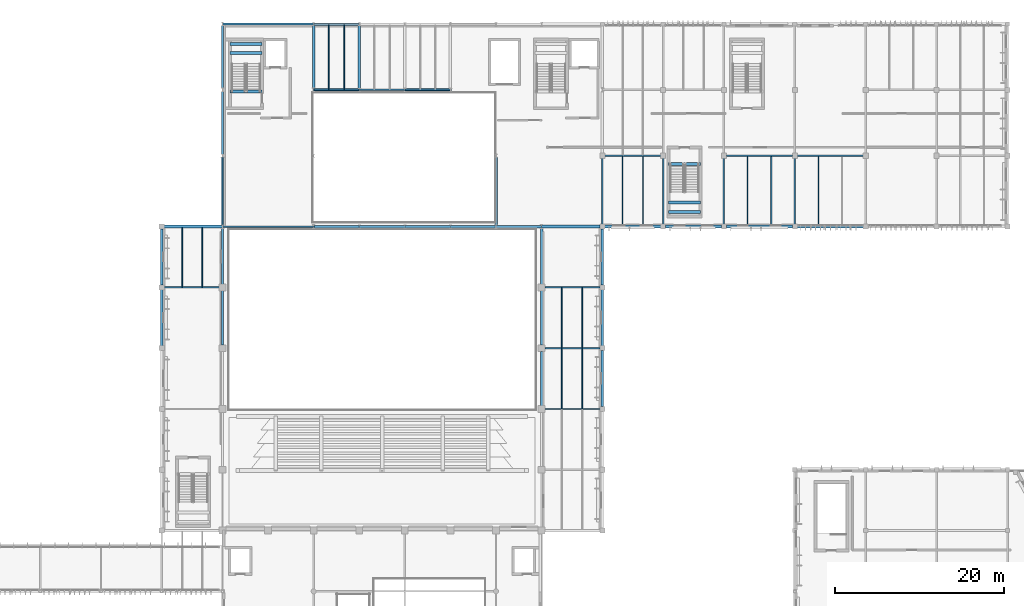
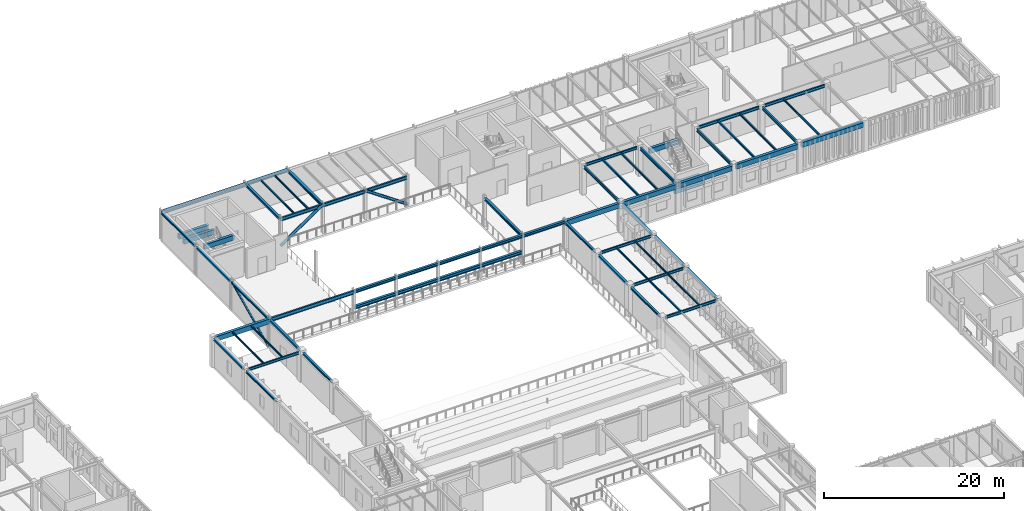
# One storey, part 14 of 104: 64 beams, 3 members.
"""IFC4 building model written with IfcOpenShell, lengths in metres."""

from ifc_helpers import new_model, si_unit, direction, frame, origin, origin_2d, place, context, subcontext, project, spatial, rectangle, hollow_circle, i_section, extrude, material, material_profile, profile_set, type_object, element, save


model = new_model("IFC4")

# Units and contexts
model_context = context("Model", 3, precision=1e-05, world=origin(), true_north=direction((0.0, 1.0)))
body_context = subcontext(model_context, "Body", "Model", "MODEL_VIEW")
ifc_project = project(units=[si_unit("LENGTHUNIT", "METRE"), si_unit("AREAUNIT", "SQUARE_METRE"), si_unit("VOLUMEUNIT", "CUBIC_METRE"), si_unit("PLANEANGLEUNIT", "RADIAN"), si_unit("MASSUNIT", "GRAM", prefix="KILO")], contexts=[model_context])

# Site, building, storey
site_placement = place(None, origin())
site = spatial("IfcSite", under=ifc_project, at=site_placement, CompositionType="ELEMENT")
building_placement = place(site_placement, origin())
building = spatial("IfcBuilding", under=site, at=building_placement, Name="Tazoul Stagehouse", CompositionType="ELEMENT")
storey_placement = place(building_placement, frame((0.0, 0.0, 9.0)))
storey = spatial("IfcBuildingStorey", under=building, at=storey_placement, Name="L02", CompositionType="ELEMENT", Elevation=9.0)

# Member
ifc_material_1 = material(Name="Steel S355", Category="steel")
ifc_material_profile_1 = material_profile(ifc_material_1, hollow_circle(Radius=0.136474609375, WallThickness=0.010009765625, at=origin_2d()), Name="CHS 273x10")
ifc_profile_set_1 = profile_set([ifc_material_profile_1], Name="Steel S355")
member_type_1 = type_object("IfcMemberType", Name="Fly-Tower Diagonal Brace CHS 273x10 (Exterior)", PredefinedType="BRACE", material=ifc_profile_set_1)
member_placement = place(storey_placement, frame((57.60009765625, 87.919921875, 0.050048828125), z_axis=(0.0, 0.90532453159, 0.424720487498), x_axis=(-1.0, 0.0, 0.0)))
element("IfcMember", 1, at=member_placement, inside=storey, type_object=member_type_1, Name="L02 Concentric Brace BR-01E (BR-FT-L02-W1)", PredefinedType="BRACE", context=body_context, shape_type="SweptSolid", body=[
    extrude(hollow_circle(Radius=0.136474609375, WallThickness=0.010009765625, at=origin_2d()), origin(), (0.0, 0.0, 1.0), 8.947265625),
])

# Beams
ifc_material_2 = material(Name="Concrete C40/50", Category="concrete")
ifc_material_profile_2 = material_profile(ifc_material_2, rectangle(XDim=0.35009765625, YDim=0.64990234375, at=origin_2d()), Name="RC 350x650")
ifc_profile_set_2 = profile_set([ifc_material_profile_2], Name="Concrete C40/50")
beam_type_1 = type_object("IfcBeamType", Name="RC Perimeter Spandrel 350x650", PredefinedType="SPANDREL", material=ifc_profile_set_2)
beam_1_placement = place(storey_placement, frame((95.409912109375, 87.800048828125, 3.60302734375), z_axis=(1.0, 0.0, 0.0), x_axis=(0.0, 1.0, 0.0)))
element("IfcBeam", 2, at=beam_1_placement, inside=storey, type_object=beam_type_1, Name="L02 Beam SP-01 N/15-16", PredefinedType="SPANDREL", context=body_context, shape_type="SweptSolid", body=[
    extrude(rectangle(XDim=0.35009765625, YDim=0.64990234375, at=origin_2d()), origin(), (0.0, 0.0, 1.0), 6.9150390625),
])
ifc_material_profile_3 = material_profile(ifc_material_2, rectangle(XDim=0.35009765625, YDim=0.64990234375, at=origin_2d()), Name="RC 350x650")
ifc_profile_set_3 = profile_set([ifc_material_profile_3], Name="Concrete C40/50")
beam_type_2 = type_object("IfcBeamType", Name="RC Perimeter Spandrel 350x650 (Exterior)", PredefinedType="SPANDREL", material=ifc_profile_set_3)
beam_2_placement = place(storey_placement, frame((50.675048828125, 87.800048828125, 3.623046875), z_axis=(1.0, 0.0, 0.0), x_axis=(0.0, 1.0, 0.0)))
element("IfcBeam", 3, at=beam_2_placement, inside=storey, type_object=beam_type_2, Name="L02 Beam SP-01E N/7-8", PredefinedType="SPANDREL", context=body_context, shape_type="SweptSolid", body=[
    extrude(rectangle(XDim=0.35009765625, YDim=0.64990234375, at=origin_2d()), origin(), (0.0, 0.0, 1.0), 6.9150390625),
])
beam_3_placement = place(storey_placement, frame((102.875, 87.800048828125, 3.60302734375), z_axis=(1.0, 0.0, 0.0), x_axis=(0.0, 1.0, 0.0)))
element("IfcBeam", 4, at=beam_3_placement, inside=storey, type_object=beam_type_2, Name="L02 Beam SP-01E N/16-17", PredefinedType="SPANDREL", context=body_context, shape_type="SweptSolid", body=[
    extrude(rectangle(XDim=0.35009765625, YDim=0.64990234375, at=origin_2d()), origin(), (0.0, 0.0, 1.0), 6.64990234375),
])
beam_4_placement = place(storey_placement, frame((110.074951171875, 87.800048828125, 3.60302734375), z_axis=(1.0, 0.0, 0.0), x_axis=(0.0, 1.0, 0.0)))
element("IfcBeam", 5, at=beam_4_placement, inside=storey, type_object=beam_type_2, Name="L02 Beam SP-01E N/17-18", PredefinedType="SPANDREL", context=body_context, shape_type="SweptSolid", body=[
    extrude(rectangle(XDim=0.35009765625, YDim=0.64990234375, at=origin_2d()), origin(), (0.0, 0.0, 1.0), 6.650146484375),
])
beam_5_placement = place(storey_placement, frame((117.27490234375, 87.800048828125, 3.60302734375), z_axis=(1.0, 0.0, 0.0), x_axis=(0.0, 1.0, 0.0)))
element("IfcBeam", 6, at=beam_5_placement, inside=storey, type_object=beam_type_2, Name="L02 Beam SP-01E N/18-19", PredefinedType="SPANDREL", context=body_context, shape_type="SweptSolid", body=[
    extrude(rectangle(XDim=0.35009765625, YDim=0.64990234375, at=origin_2d()), origin(), (0.0, 0.0, 1.0), 7.85009765625),
])
beam_6_placement = place(storey_placement, frame((125.675048828125, 87.800048828125, 3.60302734375), z_axis=(1.0, 0.0, 0.0), x_axis=(0.0, 1.0, 0.0)))
element("IfcBeam", 7, at=beam_6_placement, inside=storey, type_object=beam_type_2, Name="L02 Beam SP-01E N/19-20", PredefinedType="SPANDREL", context=body_context, shape_type="SweptSolid", body=[
    extrude(rectangle(XDim=0.35009765625, YDim=0.64990234375, at=origin_2d()), origin(), (0.0, 0.0, 1.0), 7.849853515625),
])
ifc_material_profile_4 = material_profile(ifc_material_2, rectangle(XDim=0.35009765625, YDim=0.64990234375, at=origin_2d()), Name="RC 350x650")
ifc_profile_set_4 = profile_set([ifc_material_profile_4], Name="Concrete C40/50")
beam_type_3 = type_object("IfcBeamType", Name="RC Primary Girder 350x650", PredefinedType="BEAM", material=ifc_profile_set_4)
for number, where, z_axis, x_axis, name in (
    (8, (58.469970703125, 108.35009765625, 1.580078125), (1.0, 0.0, 0.0), (0.0, 1.0, 0.0), "L02 Stair Half-Landing Trimmer BM-01 (ST-03-1)"),
    (9, (58.469970703125, 109.449951171875, 1.580078125), (1.0, 0.0, 0.0), (0.0, 1.0, 0.0), "L02 Stair Half-Landing Trimmer BM-01 (ST-03-2)"),
    (10, (58.469970703125, 103.800048828125, 3.625), (1.0, 0.0, 0.0), (0.0, 1.0, 0.0), "L02 Stair Landing Trimmer BM-01 (ST-03-FL)"),
    (11, (110.419921875, 89.550048828125, 1.580078125), (1.0, 0.0, 0.0), (0.0, 1.0, 0.0), "L02 Stair Half-Landing Trimmer BM-01 (ST-04-1)"),
    (12, (110.419921875, 90.64990234375, 1.580078125), (1.0, 0.0, 0.0), (0.0, 1.0, 0.0), "L02 Stair Half-Landing Trimmer BM-01 (ST-04-2)"),
    (13, (110.419921875, 95.199951171875, 3.625), (1.0, 0.0, 0.0), (0.0, 1.0, 0.0), "L02 Stair Landing Trimmer BM-01 (ST-04-FL)"),
):
    element("IfcBeam", number, at=place(storey_placement, frame(where, z_axis=z_axis, x_axis=x_axis)), inside=storey, type_object=beam_type_3, Name=name, PredefinedType="BEAM", context=body_context, shape_type="SweptSolid", body=[
        extrude(rectangle(XDim=0.35009765625, YDim=0.64990234375, at=origin_2d()), origin(), (0.0, 0.0, 1.0), 3.81005859375),
    ])

# Members
ifc_material_profile_5 = material_profile(ifc_material_1, hollow_circle(Radius=0.177734375, WallThickness=0.01416015625, at=origin_2d()), Name="CHS 355.6x14.2")
ifc_profile_set_5 = profile_set([ifc_material_profile_5], Name="Steel S355")
member_type_2 = type_object("IfcMemberType", Name="Stagehouse Frame Brace CHS 355.6x14.2", PredefinedType="BRACE", material=ifc_profile_set_5)
for number, where, z_axis, x_axis, name in (
    (14, (68.39990234375, 104.0, 0.1201171875), (0.822803713649, 0.0, 0.568325653833), (0.0, 1.0, 0.0), "L02 Concentric Brace BR-04 (BR-FT-L02-IN1)"),
    (15, (84.60009765625, 104.0, 0.1201171875), (-0.822803713649, 0.0, 0.568325653833), (0.0, -1.0, 0.0), "L02 Concentric Brace BR-04 (BR-FT-L02-IN2)"),
):
    element("IfcMember", number, at=place(storey_placement, frame(where, z_axis=z_axis, x_axis=x_axis)), inside=storey, type_object=member_type_2, Name=name, PredefinedType="BRACE", context=body_context, shape_type="SweptSolid", body=[
        extrude(hollow_circle(Radius=0.177734375, WallThickness=0.01416015625, at=origin_2d()), origin(), (0.0, 0.0, 1.0), 6.56298828125),
    ])

# Beams
ifc_material_profile_6 = material_profile(ifc_material_1, i_section(OverallWidth=0.280029296875, OverallDepth=0.27001953125, WebThickness=0.008056640625, FlangeThickness=0.012939453125, FilletRadius=0.02392578125, at=origin_2d()), Name="HEA 280")
ifc_profile_set_6 = profile_set([ifc_material_profile_6], Name="Steel S355")
beam_type_4 = type_object("IfcBeamType", Name="Steel Facade Spandrel HEA 280 (Exterior)", PredefinedType="SPANDREL", material=ifc_profile_set_6)
for number, where, z_axis, x_axis, name in (
    (16, (50.39990234375, 73.675048828125, 3.81298828125), (0.0, 1.0, 0.0), (-1.0, 0.0, 0.0), "L02 Beam SP-02E 7/L-M"),
    (17, (50.39990234375, 80.875, 3.81298828125), (0.0, 1.0, 0.0), (-1.0, 0.0, 0.0), "L02 Beam SP-02E 7/M-N"),
):
    element("IfcBeam", number, at=place(storey_placement, frame(where, z_axis=z_axis, x_axis=x_axis)), inside=storey, type_object=beam_type_4, Name=name, PredefinedType="SPANDREL", context=body_context, shape_type="SweptSolid", body=[
        extrude(i_section(OverallWidth=0.280029296875, OverallDepth=0.27001953125, WebThickness=0.008056640625, FlangeThickness=0.012939453125, FilletRadius=0.02392578125, at=origin_2d()), origin(), (0.0, 0.0, 1.0), 6.64990234375),
    ])
beam_7_placement = place(storey_placement, frame((57.60009765625, 73.77490234375, 3.81298828125), z_axis=(0.0, 1.0, 0.0), x_axis=(-1.0, 0.0, 0.0)))
element("IfcBeam", 18, at=beam_7_placement, inside=storey, type_object=beam_type_4, Name="L02 Beam SP-02E 8/L-M", PredefinedType="SPANDREL", context=body_context, shape_type="SweptSolid", body=[
    extrude(i_section(OverallWidth=0.280029296875, OverallDepth=0.27001953125, WebThickness=0.008056640625, FlangeThickness=0.012939453125, FilletRadius=0.02392578125, at=origin_2d()), origin(), (0.0, 0.0, 1.0), 6.4501953125),
])
beam_8_placement = place(storey_placement, frame((57.60009765625, 80.97509765625, 3.81298828125), z_axis=(0.0, 1.0, 0.0), x_axis=(-1.0, 0.0, 0.0)))
element("IfcBeam", 19, at=beam_8_placement, inside=storey, type_object=beam_type_4, Name="L02 Beam SP-02E 8/M-N", PredefinedType="SPANDREL", context=body_context, shape_type="SweptSolid", body=[
    extrude(i_section(OverallWidth=0.280029296875, OverallDepth=0.27001953125, WebThickness=0.008056640625, FlangeThickness=0.012939453125, FilletRadius=0.02392578125, at=origin_2d()), origin(), (0.0, 0.0, 1.0), 6.625),
])
beam_9_placement = place(storey_placement, frame((57.60009765625, 88.0, 3.81298828125), z_axis=(0.0, 1.0, 0.0), x_axis=(-1.0, 0.0, 0.0)))
element("IfcBeam", 20, at=beam_9_placement, inside=storey, type_object=beam_type_4, Name="L02 Beam SP-02E 8/N-P", PredefinedType="SPANDREL", context=body_context, shape_type="SweptSolid", body=[
    extrude(i_section(OverallWidth=0.280029296875, OverallDepth=0.27001953125, WebThickness=0.008056640625, FlangeThickness=0.012939453125, FilletRadius=0.02392578125, at=origin_2d()), origin(), (0.0, 0.0, 1.0), 8.044921875),
])
beam_10_placement = place(storey_placement, frame((57.60009765625, 96.35498046875, 3.81298828125), z_axis=(0.0, 1.0, 0.0), x_axis=(-1.0, 0.0, 0.0)))
element("IfcBeam", 21, at=beam_10_placement, inside=storey, type_object=beam_type_4, Name="L02 Beam SP-02E 8/P-Q", PredefinedType="SPANDREL", context=body_context, shape_type="SweptSolid", body=[
    extrude(i_section(OverallWidth=0.280029296875, OverallDepth=0.27001953125, WebThickness=0.008056640625, FlangeThickness=0.012939453125, FilletRadius=0.02392578125, at=origin_2d()), origin(), (0.0, 0.0, 1.0), 7.445068359375),
])
beam_11_placement = place(storey_placement, frame((57.60009765625, 104.199951171875, 3.81298828125), z_axis=(0.0, 1.0, 0.0), x_axis=(-1.0, 0.0, 0.0)))
element("IfcBeam", 22, at=beam_11_placement, inside=storey, type_object=beam_type_4, Name="L02 Beam SP-02E 8/Q-R", PredefinedType="SPANDREL", context=body_context, shape_type="SweptSolid", body=[
    extrude(i_section(OverallWidth=0.280029296875, OverallDepth=0.27001953125, WebThickness=0.008056640625, FlangeThickness=0.012939453125, FilletRadius=0.02392578125, at=origin_2d()), origin(), (0.0, 0.0, 1.0), 7.400146484375),
])
beam_12_placement = place(storey_placement, frame((95.39990234375, 66.574951171875, 3.822998046875), z_axis=(0.0, 1.0, 0.0), x_axis=(-1.0, 0.0, 0.0)))
element("IfcBeam", 23, at=beam_12_placement, inside=storey, type_object=beam_type_4, Name="L02 Beam SP-02E 15/K-L", PredefinedType="SPANDREL", context=body_context, shape_type="SweptSolid", body=[
    extrude(i_section(OverallWidth=0.280029296875, OverallDepth=0.27001953125, WebThickness=0.008056640625, FlangeThickness=0.012939453125, FilletRadius=0.02392578125, at=origin_2d()), origin(), (0.0, 0.0, 1.0), 6.449951171875),
])
beam_13_placement = place(storey_placement, frame((95.39990234375, 73.77490234375, 3.822998046875), z_axis=(0.0, 1.0, 0.0), x_axis=(-1.0, 0.0, 0.0)))
element("IfcBeam", 24, at=beam_13_placement, inside=storey, type_object=beam_type_4, Name="L02 Beam SP-02E 15/L-M", PredefinedType="SPANDREL", context=body_context, shape_type="SweptSolid", body=[
    extrude(i_section(OverallWidth=0.280029296875, OverallDepth=0.27001953125, WebThickness=0.008056640625, FlangeThickness=0.012939453125, FilletRadius=0.02392578125, at=origin_2d()), origin(), (0.0, 0.0, 1.0), 6.4501953125),
])
beam_14_placement = place(storey_placement, frame((95.39990234375, 80.97509765625, 3.81298828125), z_axis=(0.0, 1.0, 0.0), x_axis=(-1.0, 0.0, 0.0)))
element("IfcBeam", 25, at=beam_14_placement, inside=storey, type_object=beam_type_4, Name="L02 Beam SP-02E 15/M-N", PredefinedType="SPANDREL", context=body_context, shape_type="SweptSolid", body=[
    extrude(i_section(OverallWidth=0.280029296875, OverallDepth=0.27001953125, WebThickness=0.008056640625, FlangeThickness=0.012939453125, FilletRadius=0.02392578125, at=origin_2d()), origin(), (0.0, 0.0, 1.0), 6.625),
])
for number, where, z_axis, x_axis, name in (
    (26, (102.60009765625, 66.47509765625, 3.822998046875), (0.0, 1.0, 0.0), (-1.0, 0.0, 0.0), "L02 Beam SP-02E 16/K-L"),
    (27, (102.60009765625, 73.675048828125, 3.822998046875), (0.0, 1.0, 0.0), (-1.0, 0.0, 0.0), "L02 Beam SP-02E 16/L-M"),
    (28, (102.60009765625, 80.875, 3.79296875), (0.0, 1.0, 0.0), (-1.0, 0.0, 0.0), "L02 Beam SP-02E 16/M-N"),
):
    element("IfcBeam", number, at=place(storey_placement, frame(where, z_axis=z_axis, x_axis=x_axis)), inside=storey, type_object=beam_type_4, Name=name, PredefinedType="SPANDREL", context=body_context, shape_type="SweptSolid", body=[
        extrude(i_section(OverallWidth=0.280029296875, OverallDepth=0.27001953125, WebThickness=0.008056640625, FlangeThickness=0.012939453125, FilletRadius=0.02392578125, at=origin_2d()), origin(), (0.0, 0.0, 1.0), 6.64990234375),
    ])
ifc_material_profile_7 = material_profile(ifc_material_1, i_section(OverallWidth=0.1201171875, OverallDepth=0.239990234375, WebThickness=0.006103515625, FlangeThickness=0.009765625, FilletRadius=0.014892578125, at=origin_2d()), Name="IPE 240")
ifc_profile_set_7 = profile_set([ifc_material_profile_7], Name="Steel S355")
beam_type_5 = type_object("IfcBeamType", Name="Steel Floor Joist IPE 240", PredefinedType="JOIST", material=ifc_profile_set_7)
for number, where, z_axis, x_axis, name in (
    (29, (97.800048828125, 66.260009765625, 3.837890625), (0.0, 1.0, 0.0), (-1.0, 0.0, 0.0), "L02 Joist JS-01 15/K-1"),
    (30, (100.199951171875, 66.260009765625, 3.837890625), (0.0, 1.0, 0.0), (-1.0, 0.0, 0.0), "L02 Joist JS-01 15/K-2"),
    (31, (97.800048828125, 73.4599609375, 3.837890625), (0.0, 1.0, 0.0), (-1.0, 0.0, 0.0), "L02 Joist JS-01 15/L-1"),
    (32, (100.199951171875, 73.4599609375, 3.837890625), (0.0, 1.0, 0.0), (-1.0, 0.0, 0.0), "L02 Joist JS-01 15/L-2"),
):
    element("IfcBeam", number, at=place(storey_placement, frame(where, z_axis=z_axis, x_axis=x_axis)), inside=storey, type_object=beam_type_5, Name=name, PredefinedType="JOIST", context=body_context, shape_type="SweptSolid", body=[
        extrude(i_section(OverallWidth=0.1201171875, OverallDepth=0.239990234375, WebThickness=0.006103515625, FlangeThickness=0.009765625, FilletRadius=0.014892578125, at=origin_2d()), origin(), (0.0, 0.0, 1.0), 7.080078125),
    ])
for number, where, z_axis, x_axis, name in (
    (33, (52.800048828125, 80.659912109375, 3.827880859375), (0.0, 1.0, 0.0), (-1.0, 0.0, 0.0), "L02 Joist JS-01 7/M-1"),
    (34, (55.199951171875, 80.659912109375, 3.827880859375), (0.0, 1.0, 0.0), (-1.0, 0.0, 0.0), "L02 Joist JS-01 7/M-2"),
):
    element("IfcBeam", number, at=place(storey_placement, frame(where, z_axis=z_axis, x_axis=x_axis)), inside=storey, type_object=beam_type_5, Name=name, PredefinedType="JOIST", context=body_context, shape_type="SweptSolid", body=[
        extrude(i_section(OverallWidth=0.1201171875, OverallDepth=0.239990234375, WebThickness=0.006103515625, FlangeThickness=0.009765625, FilletRadius=0.014892578125, at=origin_2d()), origin(), (0.0, 0.0, 1.0), 6.989990234375),
    ])
for number, where, z_axis, x_axis, name in (
    (35, (70.199951171875, 104.070068359375, 3.827880859375), (0.0, 1.0, 0.0), (-1.0, 0.0, 0.0), "L02 Joist JS-01 10/Q-1"),
    (36, (72.0, 104.070068359375, 3.827880859375), (0.0, 1.0, 0.0), (-1.0, 0.0, 0.0), "L02 Joist JS-01 10/Q-2"),
):
    element("IfcBeam", number, at=place(storey_placement, frame(where, z_axis=z_axis, x_axis=x_axis)), inside=storey, type_object=beam_type_5, Name=name, PredefinedType="JOIST", context=body_context, shape_type="SweptSolid", body=[
        extrude(i_section(OverallWidth=0.1201171875, OverallDepth=0.239990234375, WebThickness=0.006103515625, FlangeThickness=0.009765625, FilletRadius=0.014892578125, at=origin_2d()), origin(), (0.0, 0.0, 1.0), 7.60498046875),
    ])
ifc_material_profile_8 = material_profile(ifc_material_1, i_section(OverallWidth=0.135009765625, OverallDepth=0.27001953125, WebThickness=0.006591796875, FlangeThickness=0.01025390625, FilletRadius=0.014892578125, at=origin_2d()), Name="IPE 270")
ifc_profile_set_8 = profile_set([ifc_material_profile_8], Name="Steel S355")
beam_type_6 = type_object("IfcBeamType", Name="Steel Floor Joist IPE 270", PredefinedType="JOIST", material=ifc_profile_set_8)
for number, where, z_axis, x_axis, name in (
    (37, (105.0, 87.949951171875, 3.79296875), (0.0, 1.0, 0.0), (-1.0, 0.0, 0.0), "L02 Joist JS-02 16/N-1"),
    (38, (107.39990234375, 87.949951171875, 3.79296875), (0.0, 1.0, 0.0), (-1.0, 0.0, 0.0), "L02 Joist JS-02 16/N-2"),
):
    element("IfcBeam", number, at=place(storey_placement, frame(where, z_axis=z_axis, x_axis=x_axis)), inside=storey, type_object=beam_type_6, Name=name, PredefinedType="JOIST", context=body_context, shape_type="SweptSolid", body=[
        extrude(i_section(OverallWidth=0.135009765625, OverallDepth=0.27001953125, WebThickness=0.006591796875, FlangeThickness=0.01025390625, FilletRadius=0.014892578125, at=origin_2d()), origin(), (0.0, 0.0, 1.0), 8.18994140625),
    ])
for number, where, z_axis, x_axis, name in (
    (39, (119.800048828125, 87.949951171875, 3.79296875), (0.0, 1.0, 0.0), (-1.0, 0.0, 0.0), "L02 Joist JS-02 18/N-1"),
    (40, (122.60009765625, 87.949951171875, 3.79296875), (0.0, 1.0, 0.0), (-1.0, 0.0, 0.0), "L02 Joist JS-02 18/N-2"),
    (41, (128.199951171875, 87.949951171875, 3.79296875), (0.0, 1.0, 0.0), (-1.0, 0.0, 0.0), "L02 Joist JS-02 19/N-1"),
):
    element("IfcBeam", number, at=place(storey_placement, frame(where, z_axis=z_axis, x_axis=x_axis)), inside=storey, type_object=beam_type_6, Name=name, PredefinedType="JOIST", context=body_context, shape_type="SweptSolid", body=[
        extrude(i_section(OverallWidth=0.135009765625, OverallDepth=0.27001953125, WebThickness=0.006591796875, FlangeThickness=0.01025390625, FilletRadius=0.014892578125, at=origin_2d()), origin(), (0.0, 0.0, 1.0), 8.18505859375),
    ])
ifc_material_profile_9 = material_profile(ifc_material_1, i_section(OverallWidth=0.300048828125, OverallDepth=0.35009765625, WebThickness=0.010009765625, FlangeThickness=0.017578125, FilletRadius=0.027099609375, at=origin_2d()), Name="HEA 360")
ifc_profile_set_9 = profile_set([ifc_material_profile_9], Name="Steel S355")
beam_type_7 = type_object("IfcBeamType", Name="Steel Fly-Tower Ring Beam HEA 360", PredefinedType="BEAM", material=ifc_profile_set_9)
beam_15_placement = place(storey_placement, frame((68.39990234375, 104.199951171875, 3.77294921875), z_axis=(0.0, 1.0, 0.0), x_axis=(-1.0, 0.0, 0.0)))
element("IfcBeam", 42, at=beam_15_placement, inside=storey, type_object=beam_type_7, Name="L02 Beam SB-07 10/Q-R", PredefinedType="BEAM", context=body_context, shape_type="SweptSolid", body=[
    extrude(i_section(OverallWidth=0.300048828125, OverallDepth=0.35009765625, WebThickness=0.010009765625, FlangeThickness=0.017578125, FilletRadius=0.027099609375, at=origin_2d()), origin(), (0.0, 0.0, 1.0), 7.400146484375),
])
beam_16_placement = place(storey_placement, frame((73.800048828125, 104.155029296875, 3.77294921875), z_axis=(0.0, 1.0, 0.0), x_axis=(-1.0, 0.0, 0.0)))
element("IfcBeam", 43, at=beam_16_placement, inside=storey, type_object=beam_type_7, Name="L02 Beam SB-07 11/Q-R", PredefinedType="BEAM", context=body_context, shape_type="SweptSolid", body=[
    extrude(i_section(OverallWidth=0.300048828125, OverallDepth=0.35009765625, WebThickness=0.010009765625, FlangeThickness=0.017578125, FilletRadius=0.027099609375, at=origin_2d()), origin(), (0.0, 0.0, 1.0), 7.489990234375),
])
beam_17_placement = place(storey_placement, frame((90.0, 88.0, 3.77294921875), z_axis=(0.0, 1.0, 0.0), x_axis=(-1.0, 0.0, 0.0)))
element("IfcBeam", 44, at=beam_17_placement, inside=storey, type_object=beam_type_7, Name="L02 Beam SB-07 14/N-P", PredefinedType="BEAM", context=body_context, shape_type="SweptSolid", body=[
    extrude(i_section(OverallWidth=0.300048828125, OverallDepth=0.35009765625, WebThickness=0.010009765625, FlangeThickness=0.017578125, FilletRadius=0.027099609375, at=origin_2d()), origin(), (0.0, 0.0, 1.0), 8.044921875),
])
ifc_material_profile_10 = material_profile(ifc_material_1, i_section(OverallWidth=0.300048828125, OverallDepth=0.389892578125, WebThickness=0.010986328125, FlangeThickness=0.01904296875, FilletRadius=0.027099609375, at=origin_2d()), Name="HEA 400")
ifc_profile_set_10 = profile_set([ifc_material_profile_10], Name="Steel S355")
beam_type_8 = type_object("IfcBeamType", Name="Steel Fly-Tower Spandrel HEA 400 (Exterior)", PredefinedType="SPANDREL", material=ifc_profile_set_10)
beam_18_placement = place(storey_placement, frame((68.409912109375, 87.800048828125, 3.7529296875), z_axis=(1.0, 0.0, 0.0), x_axis=(0.0, 1.0, 0.0)))
element("IfcBeam", 45, at=beam_18_placement, inside=storey, type_object=beam_type_8, Name="L02 Beam SP-04E N/10-11", PredefinedType="SPANDREL", context=body_context, shape_type="SweptSolid", body=[
    extrude(i_section(OverallWidth=0.300048828125, OverallDepth=0.389892578125, WebThickness=0.010986328125, FlangeThickness=0.01904296875, FilletRadius=0.027099609375, at=origin_2d()), origin(), (0.0, 0.0, 1.0), 5.380126953125),
])
beam_19_placement = place(storey_placement, frame((73.81005859375, 87.800048828125, 3.7529296875), z_axis=(1.0, 0.0, 0.0), x_axis=(0.0, 1.0, 0.0)))
element("IfcBeam", 46, at=beam_19_placement, inside=storey, type_object=beam_type_8, Name="L02 Beam SP-04E N/11-12", PredefinedType="SPANDREL", context=body_context, shape_type="SweptSolid", body=[
    extrude(i_section(OverallWidth=0.300048828125, OverallDepth=0.389892578125, WebThickness=0.010986328125, FlangeThickness=0.01904296875, FilletRadius=0.027099609375, at=origin_2d()), origin(), (0.0, 0.0, 1.0), 5.3798828125),
])
beam_20_placement = place(storey_placement, frame((79.2099609375, 87.800048828125, 3.7529296875), z_axis=(1.0, 0.0, 0.0), x_axis=(0.0, 1.0, 0.0)))
element("IfcBeam", 47, at=beam_20_placement, inside=storey, type_object=beam_type_8, Name="L02 Beam SP-04E N/12-13", PredefinedType="SPANDREL", context=body_context, shape_type="SweptSolid", body=[
    extrude(i_section(OverallWidth=0.300048828125, OverallDepth=0.389892578125, WebThickness=0.010986328125, FlangeThickness=0.01904296875, FilletRadius=0.027099609375, at=origin_2d()), origin(), (0.0, 0.0, 1.0), 5.380126953125),
])
for number, where, z_axis, x_axis, name in (
    (48, (84.610107421875, 87.800048828125, 3.7529296875), (1.0, 0.0, 0.0), (0.0, 1.0, 0.0), "L02 Beam SP-04E N/13-14"),
    (49, (90.010009765625, 87.800048828125, 3.7529296875), (1.0, 0.0, 0.0), (0.0, 1.0, 0.0), "L02 Beam SP-04E N/14-15"),
):
    element("IfcBeam", number, at=place(storey_placement, frame(where, z_axis=z_axis, x_axis=x_axis)), inside=storey, type_object=beam_type_8, Name=name, PredefinedType="SPANDREL", context=body_context, shape_type="SweptSolid", body=[
        extrude(i_section(OverallWidth=0.300048828125, OverallDepth=0.389892578125, WebThickness=0.010986328125, FlangeThickness=0.01904296875, FilletRadius=0.027099609375, at=origin_2d()), origin(), (0.0, 0.0, 1.0), 5.3798828125),
    ])
beam_21_placement = place(storey_placement, frame((68.409912109375, 111.800048828125, 3.7529296875), z_axis=(1.0, 0.0, 0.0), x_axis=(0.0, 1.0, 0.0)))
element("IfcBeam", 50, at=beam_21_placement, inside=storey, type_object=beam_type_8, Name="L02 Beam SP-04E R/10-11", PredefinedType="SPANDREL", context=body_context, shape_type="SweptSolid", body=[
    extrude(i_section(OverallWidth=0.300048828125, OverallDepth=0.389892578125, WebThickness=0.010986328125, FlangeThickness=0.01904296875, FilletRadius=0.027099609375, at=origin_2d()), origin(), (0.0, 0.0, 1.0), 5.380126953125),
])
ifc_material_profile_11 = material_profile(ifc_material_1, i_section(OverallWidth=0.199951171875, OverallDepth=0.5, WebThickness=0.01025390625, FlangeThickness=0.01611328125, FilletRadius=0.02099609375, at=origin_2d()), Name="IPE 500")
ifc_profile_set_11 = profile_set([ifc_material_profile_11], Name="Steel S355")
beam_type_9 = type_object("IfcBeamType", Name="Steel Long-Span Girder IPE 500 (Exterior)", PredefinedType="BEAM", material=ifc_profile_set_11)
for number, where, z_axis, x_axis, name in (
    (51, (57.610107421875, 87.800048828125, 3.697998046875), (1.0, 0.0, 0.0), (0.0, 1.0, 0.0), "L02 Beam SB-04E N/8-10"),
    (52, (57.610107421875, 111.800048828125, 3.697998046875), (1.0, 0.0, 0.0), (0.0, 1.0, 0.0), "L02 Beam SB-04E R/8-10"),
):
    element("IfcBeam", number, at=place(storey_placement, frame(where, z_axis=z_axis, x_axis=x_axis)), inside=storey, type_object=beam_type_9, Name=name, PredefinedType="BEAM", context=body_context, shape_type="SweptSolid", body=[
        extrude(i_section(OverallWidth=0.199951171875, OverallDepth=0.5, WebThickness=0.01025390625, FlangeThickness=0.01611328125, FilletRadius=0.02099609375, at=origin_2d()), origin(), (0.0, 0.0, 1.0), 10.77978515625),
    ])
ifc_material_profile_12 = material_profile(ifc_material_1, i_section(OverallWidth=0.169921875, OverallDepth=0.360107421875, WebThickness=0.008056640625, FlangeThickness=0.0126953125, FilletRadius=0.01806640625, at=origin_2d()), Name="IPE 360")
ifc_profile_set_12 = profile_set([ifc_material_profile_12], Name="Steel S355")
beam_type_10 = type_object("IfcBeamType", Name="Steel Primary Girder IPE 360", PredefinedType="BEAM", material=ifc_profile_set_12)
for number, where, z_axis, x_axis, name in (
    (53, (95.77490234375, 66.199951171875, 3.778076171875), (1.0, 0.0, 0.0), (0.0, 1.0, 0.0), "L02 Beam SB-01 K/15-16"),
    (54, (95.77490234375, 73.39990234375, 3.778076171875), (1.0, 0.0, 0.0), (0.0, 1.0, 0.0), "L02 Beam SB-01 L/15-16"),
    (55, (50.675048828125, 80.60009765625, 3.76806640625), (1.0, 0.0, 0.0), (0.0, 1.0, 0.0), "L02 Beam SB-01 M/7-8"),
    (56, (95.77490234375, 80.60009765625, 3.778076171875), (1.0, 0.0, 0.0), (0.0, 1.0, 0.0), "L02 Beam SB-01 M/15-16"),
):
    element("IfcBeam", number, at=place(storey_placement, frame(where, z_axis=z_axis, x_axis=x_axis)), inside=storey, type_object=beam_type_10, Name=name, PredefinedType="BEAM", context=body_context, shape_type="SweptSolid", body=[
        extrude(i_section(OverallWidth=0.169921875, OverallDepth=0.360107421875, WebThickness=0.008056640625, FlangeThickness=0.0126953125, FilletRadius=0.01806640625, at=origin_2d()), origin(), (0.0, 0.0, 1.0), 6.550048828125),
    ])
beam_22_placement = place(storey_placement, frame((102.875, 96.199951171875, 3.748046875), z_axis=(1.0, 0.0, 0.0), x_axis=(0.0, 1.0, 0.0)))
element("IfcBeam", 57, at=beam_22_placement, inside=storey, type_object=beam_type_10, Name="L02 Beam SB-01 P/16-17", PredefinedType="BEAM", context=body_context, shape_type="SweptSolid", body=[
    extrude(i_section(OverallWidth=0.169921875, OverallDepth=0.360107421875, WebThickness=0.008056640625, FlangeThickness=0.0126953125, FilletRadius=0.01806640625, at=origin_2d()), origin(), (0.0, 0.0, 1.0), 6.64990234375),
])
ifc_material_profile_13 = material_profile(ifc_material_1, i_section(OverallWidth=0.179931640625, OverallDepth=0.39990234375, WebThickness=0.008544921875, FlangeThickness=0.013427734375, FilletRadius=0.02099609375, at=origin_2d()), Name="IPE 400")
ifc_profile_set_13 = profile_set([ifc_material_profile_13], Name="Steel S355")
beam_type_11 = type_object("IfcBeamType", Name="Steel Primary Girder IPE 400", PredefinedType="BEAM", material=ifc_profile_set_13)
beam_23_placement = place(storey_placement, frame((117.27490234375, 96.199951171875, 3.72802734375), z_axis=(1.0, 0.0, 0.0), x_axis=(0.0, 1.0, 0.0)))
element("IfcBeam", 58, at=beam_23_placement, inside=storey, type_object=beam_type_11, Name="L02 Beam SB-02 P/18-19", PredefinedType="BEAM", context=body_context, shape_type="SweptSolid", body=[
    extrude(i_section(OverallWidth=0.179931640625, OverallDepth=0.39990234375, WebThickness=0.008544921875, FlangeThickness=0.013427734375, FilletRadius=0.02099609375, at=origin_2d()), origin(), (0.0, 0.0, 1.0), 7.85009765625),
])
beam_24_placement = place(storey_placement, frame((125.675048828125, 96.199951171875, 3.72802734375), z_axis=(1.0, 0.0, 0.0), x_axis=(0.0, 1.0, 0.0)))
element("IfcBeam", 59, at=beam_24_placement, inside=storey, type_object=beam_type_11, Name="L02 Beam SB-02 P/19-20", PredefinedType="BEAM", context=body_context, shape_type="SweptSolid", body=[
    extrude(i_section(OverallWidth=0.179931640625, OverallDepth=0.39990234375, WebThickness=0.008544921875, FlangeThickness=0.013427734375, FilletRadius=0.02099609375, at=origin_2d()), origin(), (0.0, 0.0, 1.0), 7.849853515625),
])
for number, where, z_axis, x_axis, name in (
    (60, (102.60009765625, 88.074951171875, 3.72802734375), (0.0, 1.0, 0.0), (-1.0, 0.0, 0.0), "L02 Beam SB-02 16/N-P"),
    (61, (109.800048828125, 88.074951171875, 3.72802734375), (0.0, 1.0, 0.0), (-1.0, 0.0, 0.0), "L02 Beam SB-02 17/N-P"),
    (62, (117.0, 88.074951171875, 3.72802734375), (0.0, 1.0, 0.0), (-1.0, 0.0, 0.0), "L02 Beam SB-02 18/N-P"),
    (63, (125.39990234375, 88.074951171875, 3.72802734375), (0.0, 1.0, 0.0), (-1.0, 0.0, 0.0), "L02 Beam SB-02 19/N-P"),
):
    element("IfcBeam", number, at=place(storey_placement, frame(where, z_axis=z_axis, x_axis=x_axis)), inside=storey, type_object=beam_type_11, Name=name, PredefinedType="BEAM", context=body_context, shape_type="SweptSolid", body=[
        extrude(i_section(OverallWidth=0.179931640625, OverallDepth=0.39990234375, WebThickness=0.008544921875, FlangeThickness=0.013427734375, FilletRadius=0.02099609375, at=origin_2d()), origin(), (0.0, 0.0, 1.0), 7.85009765625),
    ])
ifc_material_profile_14 = material_profile(ifc_material_1, i_section(OverallWidth=0.300048828125, OverallDepth=0.43994140625, WebThickness=0.011474609375, FlangeThickness=0.02099609375, FilletRadius=0.027099609375, at=origin_2d()), Name="HEA 450")
ifc_profile_set_14 = profile_set([ifc_material_profile_14], Name="Steel S355")
beam_type_12 = type_object("IfcBeamType", Name="Steel Proscenium Girder HEA 450", PredefinedType="BEAM", material=ifc_profile_set_14)
beam_25_placement = place(storey_placement, frame((68.52001953125, 87.800048828125, 1.60009765625), z_axis=(1.0, 0.0, 0.0), x_axis=(0.0, 1.0, 0.0)))
element("IfcBeam", 64, at=beam_25_placement, inside=storey, type_object=beam_type_12, Name="Proscenium Arch Main Header Girder SB-08", PredefinedType="BEAM", context=body_context, shape_type="SweptSolid", body=[
    extrude(i_section(OverallWidth=0.300048828125, OverallDepth=0.43994140625, WebThickness=0.011474609375, FlangeThickness=0.02099609375, FilletRadius=0.027099609375, at=origin_2d()), origin(), (0.0, 0.0, 1.0), 21.35986328125),
])
ifc_material_profile_15 = material_profile(ifc_material_1, i_section(OverallWidth=0.18994140625, OverallDepth=0.449951171875, WebThickness=0.009521484375, FlangeThickness=0.0146484375, FilletRadius=0.02099609375, at=origin_2d()), Name="IPE 450")
ifc_profile_set_15 = profile_set([ifc_material_profile_15], Name="Steel S355")
beam_type_13 = type_object("IfcBeamType", Name="Steel Stage Girder IPE 450", PredefinedType="BEAM", material=ifc_profile_set_15)
beam_26_placement = place(storey_placement, frame((68.409912109375, 104.0, 3.722900390625), z_axis=(1.0, 0.0, 0.0), x_axis=(0.0, 1.0, 0.0)))
element("IfcBeam", 65, at=beam_26_placement, inside=storey, type_object=beam_type_13, Name="L02 Beam SB-03 Q/10-11", PredefinedType="BEAM", context=body_context, shape_type="SweptSolid", body=[
    extrude(i_section(OverallWidth=0.18994140625, OverallDepth=0.449951171875, WebThickness=0.009521484375, FlangeThickness=0.0146484375, FilletRadius=0.02099609375, at=origin_2d()), origin(), (0.0, 0.0, 1.0), 5.380126953125),
])
beam_27_placement = place(storey_placement, frame((73.81005859375, 104.0, 3.722900390625), z_axis=(1.0, 0.0, 0.0), x_axis=(0.0, 1.0, 0.0)))
element("IfcBeam", 66, at=beam_27_placement, inside=storey, type_object=beam_type_13, Name="L02 Beam SB-03 Q/11-12", PredefinedType="BEAM", context=body_context, shape_type="SweptSolid", body=[
    extrude(i_section(OverallWidth=0.18994140625, OverallDepth=0.449951171875, WebThickness=0.009521484375, FlangeThickness=0.0146484375, FilletRadius=0.02099609375, at=origin_2d()), origin(), (0.0, 0.0, 1.0), 5.3798828125),
])
beam_28_placement = place(storey_placement, frame((79.2099609375, 104.0, 3.722900390625), z_axis=(1.0, 0.0, 0.0), x_axis=(0.0, 1.0, 0.0)))
element("IfcBeam", 67, at=beam_28_placement, inside=storey, type_object=beam_type_13, Name="L02 Beam SB-03 Q/12-13", PredefinedType="BEAM", context=body_context, shape_type="SweptSolid", body=[
    extrude(i_section(OverallWidth=0.18994140625, OverallDepth=0.449951171875, WebThickness=0.009521484375, FlangeThickness=0.0146484375, FilletRadius=0.02099609375, at=origin_2d()), origin(), (0.0, 0.0, 1.0), 5.380126953125),
])

save(model, "model.ifc")
